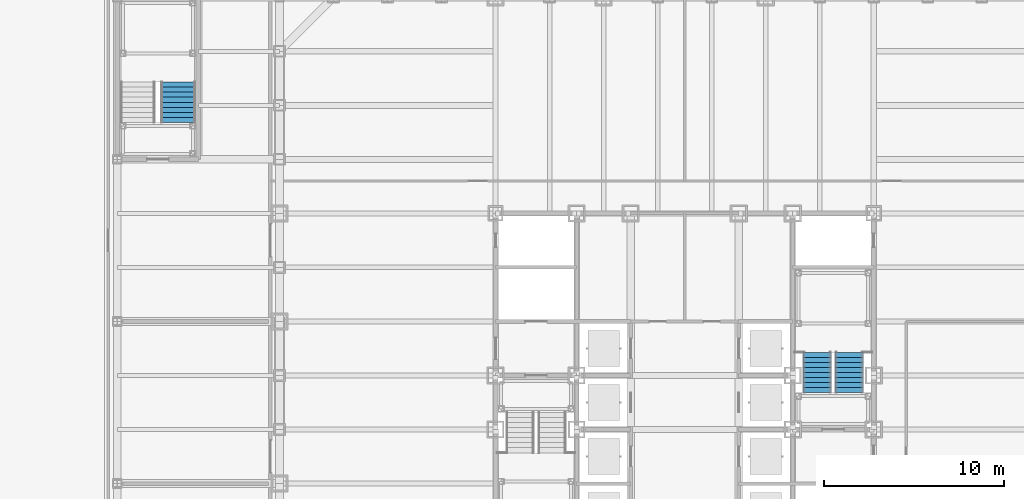
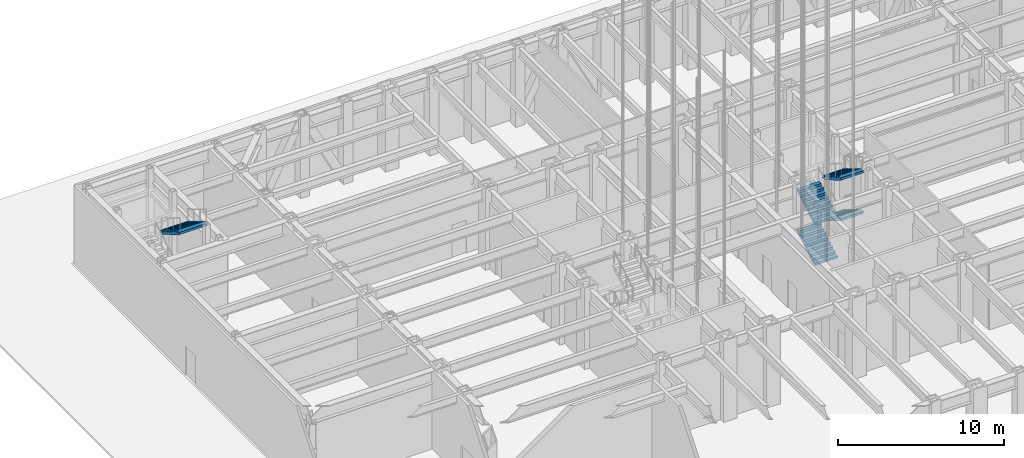
# One storey, part 14 of 35: 5 stair flights, 2 elements without a shape of their own.
"""IFC4 building model written with IfcOpenShell, lengths in metres."""

from ifc_helpers import new_model, si_unit, direction, frame, origin, place, context, subcontext, project, spatial, faceted_brep, material, type_object, element, aggregate, save


model = new_model("IFC4")

# Units and contexts
model_context = context("Model", 3, precision=1e-05, world=origin(), true_north=direction((0.0, 1.0)))
body_context = subcontext(model_context, "Body", "Model", "MODEL_VIEW")
ifc_project = project(units=[si_unit("LENGTHUNIT", "METRE"), si_unit("AREAUNIT", "SQUARE_METRE"), si_unit("VOLUMEUNIT", "CUBIC_METRE"), si_unit("PLANEANGLEUNIT", "RADIAN"), si_unit("MASSUNIT", "GRAM", prefix="KILO")], contexts=[model_context])

# Site, building, storey
site_placement = place(None, origin())
site = spatial("IfcSite", under=ifc_project, at=site_placement, CompositionType="ELEMENT")
building_placement = place(site_placement, origin())
building = spatial("IfcBuilding", under=site, at=building_placement, Name="Chuquiago Exchange Tower", CompositionType="ELEMENT")
storey_placement = place(building_placement, origin())
storey = spatial("IfcBuildingStorey", under=building, at=storey_placement, Name="L00", CompositionType="ELEMENT", Elevation=0.0)

# Stair, stair flights
ifc_material_1 = material(Name="Concrete C30/37, precast", Category="concrete")
stair_type_1 = type_object("IfcStairType", Name="ST2 double half-turn stair 6000", PredefinedType="DOUBLE_RETURN_STAIR", material=ifc_material_1)
stair_1_placement = place(storey_placement, origin())
stair_1 = element("IfcStair", 1, at=stair_1_placement, inside=storey, type_object=stair_type_1, Name="Stair ST2 L00", PredefinedType="DOUBLE_RETURN_STAIR")
ifc_material_2 = material(Name="Concrete C30/37, precast", Category="concrete")
stair_flight_type_1 = type_object("IfcStairFlightType", Name="ST-F flight 1570 for 6000 storey", PredefinedType="STRAIGHT", material=ifc_material_2)
stair_flight_1_placement = place(storey_placement, frame((29.860107421875, 23.050048828125, 0.0), z_axis=(0.0, 0.0, 1.0), x_axis=(0.0, 1.0, 0.0)))
stair_flight_1 = element("IfcStairFlight", 2, at=stair_flight_1_placement, type_object=stair_flight_type_1, Name="ST2 flight 1", NumberOfRisers=9, NumberOfTreads=8, PredefinedType="STRAIGHT", RiserHeight=0.166666667, TreadLength=0.28, context=body_context, shape_type="Brep", body=[
    faceted_brep([(0.0, 0.78515625, 0.0), (0.0, 0.78515625, 0.166748046875), (0.280029296875, 0.78515625, 0.166748046875), (0.280029296875, 0.78515625, 0.333251953125), (0.56005859375, 0.78515625, 0.333251953125), (0.56005859375, 0.78515625, 0.5), (0.840087890625, 0.78515625, 0.5), (0.840087890625, 0.78515625, 0.666748046875), (1.1201171875, 0.78515625, 0.666748046875), (1.1201171875, 0.78515625, 0.833251953125), (1.39990234375, 0.78515625, 0.833251953125), (1.39990234375, 0.78515625, 1.0), (1.679931640625, 0.78515625, 1.0), (1.679931640625, 0.78515625, 1.166748046875), (1.9599609375, 0.78515625, 1.166748046875), (1.9599609375, 0.78515625, 1.333251953125), (2.239990234375, 0.78515625, 1.333251953125), (2.239990234375, 0.78515625, 1.158935546875), (0.29296875, 0.78515625, 0.0), (0.29296875, -0.78515625, 0.0), (2.239990234375, -0.78515625, 1.158935546875), (2.239990234375, -0.78515625, 1.333251953125), (1.9599609375, -0.78515625, 1.333251953125), (1.9599609375, -0.78515625, 1.166748046875), (1.679931640625, -0.78515625, 1.166748046875), (1.679931640625, -0.78515625, 1.0), (1.39990234375, -0.78515625, 1.0), (1.39990234375, -0.78515625, 0.833251953125), (1.1201171875, -0.78515625, 0.833251953125), (1.1201171875, -0.78515625, 0.666748046875), (0.840087890625, -0.78515625, 0.666748046875), (0.840087890625, -0.78515625, 0.5), (0.56005859375, -0.78515625, 0.5), (0.56005859375, -0.78515625, 0.333251953125), (0.280029296875, -0.78515625, 0.333251953125), (0.280029296875, -0.78515625, 0.166748046875), (0.0, -0.78515625, 0.166748046875), (0.0, -0.78515625, 0.0), (0.0, 0.392578125, 0.0), (0.0, 0.392578125, 0.166748046875), (0.0, 0.0, 0.0), (0.0, 0.0, 0.166748046875), (0.0, -0.392578125, 0.0), (0.0, -0.392578125, 0.166748046875), (0.280029296875, 0.392578125, 0.166748046875), (0.280029296875, 0.0, 0.166748046875), (0.280029296875, -0.392578125, 0.166748046875), (0.280029296875, 0.392578125, 0.333251953125), (0.280029296875, 0.0, 0.333251953125), (0.280029296875, -0.392578125, 0.333251953125), (0.56005859375, 0.392578125, 0.333251953125), (0.56005859375, 0.0, 0.333251953125), (0.56005859375, -0.392578125, 0.333251953125), (0.56005859375, 0.392578125, 0.5), (0.56005859375, 0.0, 0.5), (0.56005859375, -0.392578125, 0.5), (0.840087890625, 0.392578125, 0.5), (0.840087890625, 0.0, 0.5), (0.840087890625, -0.392578125, 0.5), (0.840087890625, 0.392578125, 0.666748046875), (0.840087890625, 0.0, 0.666748046875), (0.840087890625, -0.392578125, 0.666748046875), (1.1201171875, 0.392578125, 0.666748046875), (1.1201171875, 0.0, 0.666748046875), (1.1201171875, -0.392578125, 0.666748046875), (1.1201171875, 0.392578125, 0.833251953125), (1.1201171875, 0.0, 0.833251953125), (1.1201171875, -0.392578125, 0.833251953125), (1.39990234375, 0.392578125, 0.833251953125), (1.39990234375, 0.0, 0.833251953125), (1.39990234375, -0.392578125, 0.833251953125), (1.39990234375, 0.392578125, 1.0), (1.39990234375, 0.0, 1.0), (1.39990234375, -0.392578125, 1.0), (1.679931640625, 0.392578125, 1.0), (1.679931640625, 0.0, 1.0), (1.679931640625, -0.392578125, 1.0), (1.679931640625, 0.392578125, 1.166748046875), (1.679931640625, 0.0, 1.166748046875), (1.679931640625, -0.392578125, 1.166748046875), (1.9599609375, 0.392578125, 1.166748046875), (1.9599609375, 0.0, 1.166748046875), (1.9599609375, -0.392578125, 1.166748046875), (1.9599609375, 0.392578125, 1.333251953125), (1.9599609375, 0.0, 1.333251953125), (1.9599609375, -0.392578125, 1.333251953125), (2.239990234375, 0.392578125, 1.333251953125), (2.239990234375, 0.0, 1.333251953125), (2.239990234375, -0.392578125, 1.333251953125), (2.239990234375, 0.392578125, 1.158935546875), (2.239990234375, 0.0, 1.158935546875), (2.239990234375, -0.392578125, 1.158935546875), (0.29296875, 0.392578125, 0.0), (0.29296875, 0.0, 0.0), (0.29296875, -0.392578125, 0.0)], [[[0, 1, 2, 3, 4, 5, 6, 7, 8, 9, 10, 11, 12, 13, 14, 15, 16, 17, 18]], [[19, 20, 21, 22, 23, 24, 25, 26, 27, 28, 29, 30, 31, 32, 33, 34, 35, 36, 37]], [[1, 0, 38, 39]], [[39, 38, 40, 41]], [[41, 40, 42, 43]], [[43, 42, 37, 36]], [[2, 1, 39, 44]], [[44, 39, 41, 45]], [[45, 41, 43, 46]], [[46, 43, 36, 35]], [[3, 2, 44, 47]], [[47, 44, 45, 48]], [[48, 45, 46, 49]], [[49, 46, 35, 34]], [[4, 3, 47, 50]], [[50, 47, 48, 51]], [[51, 48, 49, 52]], [[52, 49, 34, 33]], [[5, 4, 50, 53]], [[53, 50, 51, 54]], [[54, 51, 52, 55]], [[55, 52, 33, 32]], [[6, 5, 53, 56]], [[56, 53, 54, 57]], [[57, 54, 55, 58]], [[58, 55, 32, 31]], [[7, 6, 56, 59]], [[59, 56, 57, 60]], [[60, 57, 58, 61]], [[61, 58, 31, 30]], [[8, 7, 59, 62]], [[62, 59, 60, 63]], [[63, 60, 61, 64]], [[64, 61, 30, 29]], [[9, 8, 62, 65]], [[65, 62, 63, 66]], [[66, 63, 64, 67]], [[67, 64, 29, 28]], [[10, 9, 65, 68]], [[68, 65, 66, 69]], [[69, 66, 67, 70]], [[70, 67, 28, 27]], [[11, 10, 68, 71]], [[71, 68, 69, 72]], [[72, 69, 70, 73]], [[73, 70, 27, 26]], [[12, 11, 71, 74]], [[74, 71, 72, 75]], [[75, 72, 73, 76]], [[76, 73, 26, 25]], [[13, 12, 74, 77]], [[77, 74, 75, 78]], [[78, 75, 76, 79]], [[79, 76, 25, 24]], [[14, 13, 77, 80]], [[80, 77, 78, 81]], [[81, 78, 79, 82]], [[82, 79, 24, 23]], [[15, 14, 80, 83]], [[83, 80, 81, 84]], [[84, 81, 82, 85]], [[85, 82, 23, 22]], [[16, 15, 83, 86]], [[86, 83, 84, 87]], [[87, 84, 85, 88]], [[88, 85, 22, 21]], [[17, 16, 86, 89]], [[89, 86, 87, 90]], [[90, 87, 88, 91]], [[91, 88, 21, 20]], [[18, 17, 89, 92]], [[92, 89, 90, 93]], [[93, 90, 91, 94]], [[94, 91, 20, 19]], [[0, 18, 92, 38]], [[38, 92, 93, 40]], [[40, 93, 94, 42]], [[42, 94, 19, 37]]]),
])
stair_flight_2_placement = place(storey_placement, frame((31.639892578125, 25.2900390625, 1.5), z_axis=(0.0, 0.0, 1.0), x_axis=(0.0, -1.0, 0.0)))
stair_flight_2 = element("IfcStairFlight", 3, at=stair_flight_2_placement, type_object=stair_flight_type_1, Name="ST2 flight 2", NumberOfRisers=9, NumberOfTreads=8, PredefinedType="STRAIGHT", RiserHeight=0.166666667, TreadLength=0.28, context=body_context, shape_type="Brep", body=[
    faceted_brep([(0.0, 0.78515625, 0.0), (0.0, 0.78515625, 0.166748046875), (0.280029296875, 0.78515625, 0.166748046875), (0.280029296875, 0.78515625, 0.333251953125), (0.56005859375, 0.78515625, 0.333251953125), (0.56005859375, 0.78515625, 0.5), (0.840087890625, 0.78515625, 0.5), (0.840087890625, 0.78515625, 0.666748046875), (1.1201171875, 0.78515625, 0.666748046875), (1.1201171875, 0.78515625, 0.833251953125), (1.39990234375, 0.78515625, 0.833251953125), (1.39990234375, 0.78515625, 1.0), (1.679931640625, 0.78515625, 1.0), (1.679931640625, 0.78515625, 1.166748046875), (1.9599609375, 0.78515625, 1.166748046875), (1.9599609375, 0.78515625, 1.333251953125), (2.239990234375, 0.78515625, 1.333251953125), (2.239990234375, 0.78515625, 1.158935546875), (0.29296875, 0.78515625, 0.0), (0.29296875, -0.78515625, 0.0), (2.239990234375, -0.78515625, 1.158935546875), (2.239990234375, -0.78515625, 1.333251953125), (1.9599609375, -0.78515625, 1.333251953125), (1.9599609375, -0.78515625, 1.166748046875), (1.679931640625, -0.78515625, 1.166748046875), (1.679931640625, -0.78515625, 1.0), (1.39990234375, -0.78515625, 1.0), (1.39990234375, -0.78515625, 0.833251953125), (1.1201171875, -0.78515625, 0.833251953125), (1.1201171875, -0.78515625, 0.666748046875), (0.840087890625, -0.78515625, 0.666748046875), (0.840087890625, -0.78515625, 0.5), (0.56005859375, -0.78515625, 0.5), (0.56005859375, -0.78515625, 0.333251953125), (0.280029296875, -0.78515625, 0.333251953125), (0.280029296875, -0.78515625, 0.166748046875), (0.0, -0.78515625, 0.166748046875), (0.0, -0.78515625, 0.0), (0.0, 0.392578125, 0.0), (0.0, 0.392578125, 0.166748046875), (0.0, 0.0, 0.0), (0.0, 0.0, 0.166748046875), (0.0, -0.392578125, 0.0), (0.0, -0.392578125, 0.166748046875), (0.280029296875, 0.392578125, 0.166748046875), (0.280029296875, 0.0, 0.166748046875), (0.280029296875, -0.392578125, 0.166748046875), (0.280029296875, 0.392578125, 0.333251953125), (0.280029296875, 0.0, 0.333251953125), (0.280029296875, -0.392578125, 0.333251953125), (0.56005859375, 0.392578125, 0.333251953125), (0.56005859375, 0.0, 0.333251953125), (0.56005859375, -0.392578125, 0.333251953125), (0.56005859375, 0.392578125, 0.5), (0.56005859375, 0.0, 0.5), (0.56005859375, -0.392578125, 0.5), (0.840087890625, 0.392578125, 0.5), (0.840087890625, 0.0, 0.5), (0.840087890625, -0.392578125, 0.5), (0.840087890625, 0.392578125, 0.666748046875), (0.840087890625, 0.0, 0.666748046875), (0.840087890625, -0.392578125, 0.666748046875), (1.1201171875, 0.392578125, 0.666748046875), (1.1201171875, 0.0, 0.666748046875), (1.1201171875, -0.392578125, 0.666748046875), (1.1201171875, 0.392578125, 0.833251953125), (1.1201171875, 0.0, 0.833251953125), (1.1201171875, -0.392578125, 0.833251953125), (1.39990234375, 0.392578125, 0.833251953125), (1.39990234375, 0.0, 0.833251953125), (1.39990234375, -0.392578125, 0.833251953125), (1.39990234375, 0.392578125, 1.0), (1.39990234375, 0.0, 1.0), (1.39990234375, -0.392578125, 1.0), (1.679931640625, 0.392578125, 1.0), (1.679931640625, 0.0, 1.0), (1.679931640625, -0.392578125, 1.0), (1.679931640625, 0.392578125, 1.166748046875), (1.679931640625, 0.0, 1.166748046875), (1.679931640625, -0.392578125, 1.166748046875), (1.9599609375, 0.392578125, 1.166748046875), (1.9599609375, 0.0, 1.166748046875), (1.9599609375, -0.392578125, 1.166748046875), (1.9599609375, 0.392578125, 1.333251953125), (1.9599609375, 0.0, 1.333251953125), (1.9599609375, -0.392578125, 1.333251953125), (2.239990234375, 0.392578125, 1.333251953125), (2.239990234375, 0.0, 1.333251953125), (2.239990234375, -0.392578125, 1.333251953125), (2.239990234375, 0.392578125, 1.158935546875), (2.239990234375, 0.0, 1.158935546875), (2.239990234375, -0.392578125, 1.158935546875), (0.29296875, 0.392578125, 0.0), (0.29296875, 0.0, 0.0), (0.29296875, -0.392578125, 0.0)], [[[0, 1, 2, 3, 4, 5, 6, 7, 8, 9, 10, 11, 12, 13, 14, 15, 16, 17, 18]], [[19, 20, 21, 22, 23, 24, 25, 26, 27, 28, 29, 30, 31, 32, 33, 34, 35, 36, 37]], [[1, 0, 38, 39]], [[39, 38, 40, 41]], [[41, 40, 42, 43]], [[43, 42, 37, 36]], [[2, 1, 39, 44]], [[44, 39, 41, 45]], [[45, 41, 43, 46]], [[46, 43, 36, 35]], [[3, 2, 44, 47]], [[47, 44, 45, 48]], [[48, 45, 46, 49]], [[49, 46, 35, 34]], [[4, 3, 47, 50]], [[50, 47, 48, 51]], [[51, 48, 49, 52]], [[52, 49, 34, 33]], [[5, 4, 50, 53]], [[53, 50, 51, 54]], [[54, 51, 52, 55]], [[55, 52, 33, 32]], [[6, 5, 53, 56]], [[56, 53, 54, 57]], [[57, 54, 55, 58]], [[58, 55, 32, 31]], [[7, 6, 56, 59]], [[59, 56, 57, 60]], [[60, 57, 58, 61]], [[61, 58, 31, 30]], [[8, 7, 59, 62]], [[62, 59, 60, 63]], [[63, 60, 61, 64]], [[64, 61, 30, 29]], [[9, 8, 62, 65]], [[65, 62, 63, 66]], [[66, 63, 64, 67]], [[67, 64, 29, 28]], [[10, 9, 65, 68]], [[68, 65, 66, 69]], [[69, 66, 67, 70]], [[70, 67, 28, 27]], [[11, 10, 68, 71]], [[71, 68, 69, 72]], [[72, 69, 70, 73]], [[73, 70, 27, 26]], [[12, 11, 71, 74]], [[74, 71, 72, 75]], [[75, 72, 73, 76]], [[76, 73, 26, 25]], [[13, 12, 74, 77]], [[77, 74, 75, 78]], [[78, 75, 76, 79]], [[79, 76, 25, 24]], [[14, 13, 77, 80]], [[80, 77, 78, 81]], [[81, 78, 79, 82]], [[82, 79, 24, 23]], [[15, 14, 80, 83]], [[83, 80, 81, 84]], [[84, 81, 82, 85]], [[85, 82, 23, 22]], [[16, 15, 83, 86]], [[86, 83, 84, 87]], [[87, 84, 85, 88]], [[88, 85, 22, 21]], [[17, 16, 86, 89]], [[89, 86, 87, 90]], [[90, 87, 88, 91]], [[91, 88, 21, 20]], [[18, 17, 89, 92]], [[92, 89, 90, 93]], [[93, 90, 91, 94]], [[94, 91, 20, 19]], [[0, 18, 92, 38]], [[38, 92, 93, 40]], [[40, 93, 94, 42]], [[42, 94, 19, 37]]]),
])
stair_flight_3_placement = place(storey_placement, frame((29.860107421875, 23.050048828125, 3.0), z_axis=(0.0, 0.0, 1.0), x_axis=(0.0, 1.0, 0.0)))
stair_flight_3 = element("IfcStairFlight", 4, at=stair_flight_3_placement, type_object=stair_flight_type_1, Name="ST2 flight 3", NumberOfRisers=9, NumberOfTreads=8, PredefinedType="STRAIGHT", RiserHeight=0.166666667, TreadLength=0.28, context=body_context, shape_type="Brep", body=[
    faceted_brep([(0.0, 0.78515625, 0.0), (0.0, 0.78515625, 0.166748046875), (0.280029296875, 0.78515625, 0.166748046875), (0.280029296875, 0.78515625, 0.333251953125), (0.56005859375, 0.78515625, 0.333251953125), (0.56005859375, 0.78515625, 0.5), (0.840087890625, 0.78515625, 0.5), (0.840087890625, 0.78515625, 0.666748046875), (1.1201171875, 0.78515625, 0.666748046875), (1.1201171875, 0.78515625, 0.833251953125), (1.39990234375, 0.78515625, 0.833251953125), (1.39990234375, 0.78515625, 1.0), (1.679931640625, 0.78515625, 1.0), (1.679931640625, 0.78515625, 1.166748046875), (1.9599609375, 0.78515625, 1.166748046875), (1.9599609375, 0.78515625, 1.333251953125), (2.239990234375, 0.78515625, 1.333251953125), (2.239990234375, 0.78515625, 1.158935546875), (0.29296875, 0.78515625, 0.0), (0.29296875, -0.78515625, 0.0), (2.239990234375, -0.78515625, 1.158935546875), (2.239990234375, -0.78515625, 1.333251953125), (1.9599609375, -0.78515625, 1.333251953125), (1.9599609375, -0.78515625, 1.166748046875), (1.679931640625, -0.78515625, 1.166748046875), (1.679931640625, -0.78515625, 1.0), (1.39990234375, -0.78515625, 1.0), (1.39990234375, -0.78515625, 0.833251953125), (1.1201171875, -0.78515625, 0.833251953125), (1.1201171875, -0.78515625, 0.666748046875), (0.840087890625, -0.78515625, 0.666748046875), (0.840087890625, -0.78515625, 0.5), (0.56005859375, -0.78515625, 0.5), (0.56005859375, -0.78515625, 0.333251953125), (0.280029296875, -0.78515625, 0.333251953125), (0.280029296875, -0.78515625, 0.166748046875), (0.0, -0.78515625, 0.166748046875), (0.0, -0.78515625, 0.0), (0.0, 0.392578125, 0.0), (0.0, 0.392578125, 0.166748046875), (0.0, 0.0, 0.0), (0.0, 0.0, 0.166748046875), (0.0, -0.392578125, 0.0), (0.0, -0.392578125, 0.166748046875), (0.280029296875, 0.392578125, 0.166748046875), (0.280029296875, 0.0, 0.166748046875), (0.280029296875, -0.392578125, 0.166748046875), (0.280029296875, 0.392578125, 0.333251953125), (0.280029296875, 0.0, 0.333251953125), (0.280029296875, -0.392578125, 0.333251953125), (0.56005859375, 0.392578125, 0.333251953125), (0.56005859375, 0.0, 0.333251953125), (0.56005859375, -0.392578125, 0.333251953125), (0.56005859375, 0.392578125, 0.5), (0.56005859375, 0.0, 0.5), (0.56005859375, -0.392578125, 0.5), (0.840087890625, 0.392578125, 0.5), (0.840087890625, 0.0, 0.5), (0.840087890625, -0.392578125, 0.5), (0.840087890625, 0.392578125, 0.666748046875), (0.840087890625, 0.0, 0.666748046875), (0.840087890625, -0.392578125, 0.666748046875), (1.1201171875, 0.392578125, 0.666748046875), (1.1201171875, 0.0, 0.666748046875), (1.1201171875, -0.392578125, 0.666748046875), (1.1201171875, 0.392578125, 0.833251953125), (1.1201171875, 0.0, 0.833251953125), (1.1201171875, -0.392578125, 0.833251953125), (1.39990234375, 0.392578125, 0.833251953125), (1.39990234375, 0.0, 0.833251953125), (1.39990234375, -0.392578125, 0.833251953125), (1.39990234375, 0.392578125, 1.0), (1.39990234375, 0.0, 1.0), (1.39990234375, -0.392578125, 1.0), (1.679931640625, 0.392578125, 1.0), (1.679931640625, 0.0, 1.0), (1.679931640625, -0.392578125, 1.0), (1.679931640625, 0.392578125, 1.166748046875), (1.679931640625, 0.0, 1.166748046875), (1.679931640625, -0.392578125, 1.166748046875), (1.9599609375, 0.392578125, 1.166748046875), (1.9599609375, 0.0, 1.166748046875), (1.9599609375, -0.392578125, 1.166748046875), (1.9599609375, 0.392578125, 1.333251953125), (1.9599609375, 0.0, 1.333251953125), (1.9599609375, -0.392578125, 1.333251953125), (2.239990234375, 0.392578125, 1.333251953125), (2.239990234375, 0.0, 1.333251953125), (2.239990234375, -0.392578125, 1.333251953125), (2.239990234375, 0.392578125, 1.158935546875), (2.239990234375, 0.0, 1.158935546875), (2.239990234375, -0.392578125, 1.158935546875), (0.29296875, 0.392578125, 0.0), (0.29296875, 0.0, 0.0), (0.29296875, -0.392578125, 0.0)], [[[0, 1, 2, 3, 4, 5, 6, 7, 8, 9, 10, 11, 12, 13, 14, 15, 16, 17, 18]], [[19, 20, 21, 22, 23, 24, 25, 26, 27, 28, 29, 30, 31, 32, 33, 34, 35, 36, 37]], [[1, 0, 38, 39]], [[39, 38, 40, 41]], [[41, 40, 42, 43]], [[43, 42, 37, 36]], [[2, 1, 39, 44]], [[44, 39, 41, 45]], [[45, 41, 43, 46]], [[46, 43, 36, 35]], [[3, 2, 44, 47]], [[47, 44, 45, 48]], [[48, 45, 46, 49]], [[49, 46, 35, 34]], [[4, 3, 47, 50]], [[50, 47, 48, 51]], [[51, 48, 49, 52]], [[52, 49, 34, 33]], [[5, 4, 50, 53]], [[53, 50, 51, 54]], [[54, 51, 52, 55]], [[55, 52, 33, 32]], [[6, 5, 53, 56]], [[56, 53, 54, 57]], [[57, 54, 55, 58]], [[58, 55, 32, 31]], [[7, 6, 56, 59]], [[59, 56, 57, 60]], [[60, 57, 58, 61]], [[61, 58, 31, 30]], [[8, 7, 59, 62]], [[62, 59, 60, 63]], [[63, 60, 61, 64]], [[64, 61, 30, 29]], [[9, 8, 62, 65]], [[65, 62, 63, 66]], [[66, 63, 64, 67]], [[67, 64, 29, 28]], [[10, 9, 65, 68]], [[68, 65, 66, 69]], [[69, 66, 67, 70]], [[70, 67, 28, 27]], [[11, 10, 68, 71]], [[71, 68, 69, 72]], [[72, 69, 70, 73]], [[73, 70, 27, 26]], [[12, 11, 71, 74]], [[74, 71, 72, 75]], [[75, 72, 73, 76]], [[76, 73, 26, 25]], [[13, 12, 74, 77]], [[77, 74, 75, 78]], [[78, 75, 76, 79]], [[79, 76, 25, 24]], [[14, 13, 77, 80]], [[80, 77, 78, 81]], [[81, 78, 79, 82]], [[82, 79, 24, 23]], [[15, 14, 80, 83]], [[83, 80, 81, 84]], [[84, 81, 82, 85]], [[85, 82, 23, 22]], [[16, 15, 83, 86]], [[86, 83, 84, 87]], [[87, 84, 85, 88]], [[88, 85, 22, 21]], [[17, 16, 86, 89]], [[89, 86, 87, 90]], [[90, 87, 88, 91]], [[91, 88, 21, 20]], [[18, 17, 89, 92]], [[92, 89, 90, 93]], [[93, 90, 91, 94]], [[94, 91, 20, 19]], [[0, 18, 92, 38]], [[38, 92, 93, 40]], [[40, 93, 94, 42]], [[42, 94, 19, 37]]]),
])
stair_flight_4_placement = place(storey_placement, frame((31.639892578125, 25.2900390625, 4.5), z_axis=(0.0, 0.0, 1.0), x_axis=(0.0, -1.0, 0.0)))
stair_flight_4 = element("IfcStairFlight", 5, at=stair_flight_4_placement, type_object=stair_flight_type_1, Name="ST2 flight 4", NumberOfRisers=9, NumberOfTreads=8, PredefinedType="STRAIGHT", RiserHeight=0.166666667, TreadLength=0.28, context=body_context, shape_type="Brep", body=[
    faceted_brep([(0.0, 0.78515625, 0.0), (0.0, 0.78515625, 0.166748046875), (0.280029296875, 0.78515625, 0.166748046875), (0.280029296875, 0.78515625, 0.333251953125), (0.56005859375, 0.78515625, 0.333251953125), (0.56005859375, 0.78515625, 0.5), (0.840087890625, 0.78515625, 0.5), (0.840087890625, 0.78515625, 0.666748046875), (1.1201171875, 0.78515625, 0.666748046875), (1.1201171875, 0.78515625, 0.833251953125), (1.39990234375, 0.78515625, 0.833251953125), (1.39990234375, 0.78515625, 1.0), (1.679931640625, 0.78515625, 1.0), (1.679931640625, 0.78515625, 1.166748046875), (1.9599609375, 0.78515625, 1.166748046875), (1.9599609375, 0.78515625, 1.333251953125), (2.239990234375, 0.78515625, 1.333251953125), (2.239990234375, 0.78515625, 1.158935546875), (0.29296875, 0.78515625, 0.0), (0.29296875, -0.78515625, 0.0), (2.239990234375, -0.78515625, 1.158935546875), (2.239990234375, -0.78515625, 1.333251953125), (1.9599609375, -0.78515625, 1.333251953125), (1.9599609375, -0.78515625, 1.166748046875), (1.679931640625, -0.78515625, 1.166748046875), (1.679931640625, -0.78515625, 1.0), (1.39990234375, -0.78515625, 1.0), (1.39990234375, -0.78515625, 0.833251953125), (1.1201171875, -0.78515625, 0.833251953125), (1.1201171875, -0.78515625, 0.666748046875), (0.840087890625, -0.78515625, 0.666748046875), (0.840087890625, -0.78515625, 0.5), (0.56005859375, -0.78515625, 0.5), (0.56005859375, -0.78515625, 0.333251953125), (0.280029296875, -0.78515625, 0.333251953125), (0.280029296875, -0.78515625, 0.166748046875), (0.0, -0.78515625, 0.166748046875), (0.0, -0.78515625, 0.0), (0.0, 0.392578125, 0.0), (0.0, 0.392578125, 0.166748046875), (0.0, 0.0, 0.0), (0.0, 0.0, 0.166748046875), (0.0, -0.392578125, 0.0), (0.0, -0.392578125, 0.166748046875), (0.280029296875, 0.392578125, 0.166748046875), (0.280029296875, 0.0, 0.166748046875), (0.280029296875, -0.392578125, 0.166748046875), (0.280029296875, 0.392578125, 0.333251953125), (0.280029296875, 0.0, 0.333251953125), (0.280029296875, -0.392578125, 0.333251953125), (0.56005859375, 0.392578125, 0.333251953125), (0.56005859375, 0.0, 0.333251953125), (0.56005859375, -0.392578125, 0.333251953125), (0.56005859375, 0.392578125, 0.5), (0.56005859375, 0.0, 0.5), (0.56005859375, -0.392578125, 0.5), (0.840087890625, 0.392578125, 0.5), (0.840087890625, 0.0, 0.5), (0.840087890625, -0.392578125, 0.5), (0.840087890625, 0.392578125, 0.666748046875), (0.840087890625, 0.0, 0.666748046875), (0.840087890625, -0.392578125, 0.666748046875), (1.1201171875, 0.392578125, 0.666748046875), (1.1201171875, 0.0, 0.666748046875), (1.1201171875, -0.392578125, 0.666748046875), (1.1201171875, 0.392578125, 0.833251953125), (1.1201171875, 0.0, 0.833251953125), (1.1201171875, -0.392578125, 0.833251953125), (1.39990234375, 0.392578125, 0.833251953125), (1.39990234375, 0.0, 0.833251953125), (1.39990234375, -0.392578125, 0.833251953125), (1.39990234375, 0.392578125, 1.0), (1.39990234375, 0.0, 1.0), (1.39990234375, -0.392578125, 1.0), (1.679931640625, 0.392578125, 1.0), (1.679931640625, 0.0, 1.0), (1.679931640625, -0.392578125, 1.0), (1.679931640625, 0.392578125, 1.166748046875), (1.679931640625, 0.0, 1.166748046875), (1.679931640625, -0.392578125, 1.166748046875), (1.9599609375, 0.392578125, 1.166748046875), (1.9599609375, 0.0, 1.166748046875), (1.9599609375, -0.392578125, 1.166748046875), (1.9599609375, 0.392578125, 1.333251953125), (1.9599609375, 0.0, 1.333251953125), (1.9599609375, -0.392578125, 1.333251953125), (2.239990234375, 0.392578125, 1.333251953125), (2.239990234375, 0.0, 1.333251953125), (2.239990234375, -0.392578125, 1.333251953125), (2.239990234375, 0.392578125, 1.158935546875), (2.239990234375, 0.0, 1.158935546875), (2.239990234375, -0.392578125, 1.158935546875), (0.29296875, 0.392578125, 0.0), (0.29296875, 0.0, 0.0), (0.29296875, -0.392578125, 0.0)], [[[0, 1, 2, 3, 4, 5, 6, 7, 8, 9, 10, 11, 12, 13, 14, 15, 16, 17, 18]], [[19, 20, 21, 22, 23, 24, 25, 26, 27, 28, 29, 30, 31, 32, 33, 34, 35, 36, 37]], [[1, 0, 38, 39]], [[39, 38, 40, 41]], [[41, 40, 42, 43]], [[43, 42, 37, 36]], [[2, 1, 39, 44]], [[44, 39, 41, 45]], [[45, 41, 43, 46]], [[46, 43, 36, 35]], [[3, 2, 44, 47]], [[47, 44, 45, 48]], [[48, 45, 46, 49]], [[49, 46, 35, 34]], [[4, 3, 47, 50]], [[50, 47, 48, 51]], [[51, 48, 49, 52]], [[52, 49, 34, 33]], [[5, 4, 50, 53]], [[53, 50, 51, 54]], [[54, 51, 52, 55]], [[55, 52, 33, 32]], [[6, 5, 53, 56]], [[56, 53, 54, 57]], [[57, 54, 55, 58]], [[58, 55, 32, 31]], [[7, 6, 56, 59]], [[59, 56, 57, 60]], [[60, 57, 58, 61]], [[61, 58, 31, 30]], [[8, 7, 59, 62]], [[62, 59, 60, 63]], [[63, 60, 61, 64]], [[64, 61, 30, 29]], [[9, 8, 62, 65]], [[65, 62, 63, 66]], [[66, 63, 64, 67]], [[67, 64, 29, 28]], [[10, 9, 65, 68]], [[68, 65, 66, 69]], [[69, 66, 67, 70]], [[70, 67, 28, 27]], [[11, 10, 68, 71]], [[71, 68, 69, 72]], [[72, 69, 70, 73]], [[73, 70, 27, 26]], [[12, 11, 71, 74]], [[74, 71, 72, 75]], [[75, 72, 73, 76]], [[76, 73, 26, 25]], [[13, 12, 74, 77]], [[77, 74, 75, 78]], [[78, 75, 76, 79]], [[79, 76, 25, 24]], [[14, 13, 77, 80]], [[80, 77, 78, 81]], [[81, 78, 79, 82]], [[82, 79, 24, 23]], [[15, 14, 80, 83]], [[83, 80, 81, 84]], [[84, 81, 82, 85]], [[85, 82, 23, 22]], [[16, 15, 83, 86]], [[86, 83, 84, 87]], [[87, 84, 85, 88]], [[88, 85, 22, 21]], [[17, 16, 86, 89]], [[89, 86, 87, 90]], [[90, 87, 88, 91]], [[91, 88, 21, 20]], [[18, 17, 89, 92]], [[92, 89, 90, 93]], [[93, 90, 91, 94]], [[94, 91, 20, 19]], [[0, 18, 92, 38]], [[38, 92, 93, 40]], [[40, 93, 94, 42]], [[42, 94, 19, 37]]]),
])
aggregate(stair_1, [stair_flight_1, stair_flight_2, stair_flight_3, stair_flight_4])

# Stair, stair flight
ifc_material_3 = material(Name="Concrete C30/37, precast", Category="concrete")
stair_type_2 = type_object("IfcStairType", Name="PS3 double half-turn stair 6000", PredefinedType="DOUBLE_RETURN_STAIR", material=ifc_material_3)
stair_2_placement = place(storey_placement, origin())
stair_2 = element("IfcStair", 6, at=stair_2_placement, inside=storey, type_object=stair_type_2, Name="Stair PS3 L00", PredefinedType="DOUBLE_RETURN_STAIR")
ifc_material_4 = material(Name="Concrete C30/37, precast", Category="concrete")
stair_flight_type_2 = type_object("IfcStairFlightType", Name="ST-F flight 1950 for 6000 storey", PredefinedType="STRAIGHT", material=ifc_material_4)
stair_flight_5_placement = place(storey_placement, frame((-5.625, 40.2900390625, 4.5), z_axis=(0.0, 0.0, 1.0), x_axis=(0.0, -1.0, 0.0)))
stair_flight_5 = element("IfcStairFlight", 7, at=stair_flight_5_placement, type_object=stair_flight_type_2, Name="PS3 flight 4", NumberOfRisers=9, NumberOfTreads=8, PredefinedType="STRAIGHT", RiserHeight=0.166666667, TreadLength=0.28, context=body_context, shape_type="Brep", body=[
    faceted_brep([(0.0, 0.97509765625, 0.0), (0.0, 0.97509765625, 0.166748046875), (0.280029296875, 0.97509765625, 0.166748046875), (0.280029296875, 0.97509765625, 0.333251953125), (0.56005859375, 0.97509765625, 0.333251953125), (0.56005859375, 0.97509765625, 0.5), (0.840087890625, 0.97509765625, 0.5), (0.840087890625, 0.97509765625, 0.666748046875), (1.1201171875, 0.97509765625, 0.666748046875), (1.1201171875, 0.97509765625, 0.833251953125), (1.39990234375, 0.97509765625, 0.833251953125), (1.39990234375, 0.97509765625, 1.0), (1.679931640625, 0.97509765625, 1.0), (1.679931640625, 0.97509765625, 1.166748046875), (1.9599609375, 0.97509765625, 1.166748046875), (1.9599609375, 0.97509765625, 1.333251953125), (2.239990234375, 0.97509765625, 1.333251953125), (2.239990234375, 0.97509765625, 1.158935546875), (0.29296875, 0.97509765625, 0.0), (0.29296875, -0.97509765625, 0.0), (2.239990234375, -0.97509765625, 1.158935546875), (2.239990234375, -0.97509765625, 1.333251953125), (1.9599609375, -0.97509765625, 1.333251953125), (1.9599609375, -0.97509765625, 1.166748046875), (1.679931640625, -0.97509765625, 1.166748046875), (1.679931640625, -0.97509765625, 1.0), (1.39990234375, -0.97509765625, 1.0), (1.39990234375, -0.97509765625, 0.833251953125), (1.1201171875, -0.97509765625, 0.833251953125), (1.1201171875, -0.97509765625, 0.666748046875), (0.840087890625, -0.97509765625, 0.666748046875), (0.840087890625, -0.97509765625, 0.5), (0.56005859375, -0.97509765625, 0.5), (0.56005859375, -0.97509765625, 0.333251953125), (0.280029296875, -0.97509765625, 0.333251953125), (0.280029296875, -0.97509765625, 0.166748046875), (0.0, -0.97509765625, 0.166748046875), (0.0, -0.97509765625, 0.0), (0.0, 0.487548828125, 0.0), (0.0, 0.487548828125, 0.166748046875), (0.0, 0.0, 0.0), (0.0, 0.0, 0.166748046875), (0.0, -0.487548828125, 0.0), (0.0, -0.487548828125, 0.166748046875), (0.280029296875, 0.487548828125, 0.166748046875), (0.280029296875, 0.0, 0.166748046875), (0.280029296875, -0.487548828125, 0.166748046875), (0.280029296875, 0.487548828125, 0.333251953125), (0.280029296875, 0.0, 0.333251953125), (0.280029296875, -0.487548828125, 0.333251953125), (0.56005859375, 0.487548828125, 0.333251953125), (0.56005859375, 0.0, 0.333251953125), (0.56005859375, -0.487548828125, 0.333251953125), (0.56005859375, 0.487548828125, 0.5), (0.56005859375, 0.0, 0.5), (0.56005859375, -0.487548828125, 0.5), (0.840087890625, 0.487548828125, 0.5), (0.840087890625, 0.0, 0.5), (0.840087890625, -0.487548828125, 0.5), (0.840087890625, 0.487548828125, 0.666748046875), (0.840087890625, 0.0, 0.666748046875), (0.840087890625, -0.487548828125, 0.666748046875), (1.1201171875, 0.487548828125, 0.666748046875), (1.1201171875, 0.0, 0.666748046875), (1.1201171875, -0.487548828125, 0.666748046875), (1.1201171875, 0.487548828125, 0.833251953125), (1.1201171875, 0.0, 0.833251953125), (1.1201171875, -0.487548828125, 0.833251953125), (1.39990234375, 0.487548828125, 0.833251953125), (1.39990234375, 0.0, 0.833251953125), (1.39990234375, -0.487548828125, 0.833251953125), (1.39990234375, 0.487548828125, 1.0), (1.39990234375, 0.0, 1.0), (1.39990234375, -0.487548828125, 1.0), (1.679931640625, 0.487548828125, 1.0), (1.679931640625, 0.0, 1.0), (1.679931640625, -0.487548828125, 1.0), (1.679931640625, 0.487548828125, 1.166748046875), (1.679931640625, 0.0, 1.166748046875), (1.679931640625, -0.487548828125, 1.166748046875), (1.9599609375, 0.487548828125, 1.166748046875), (1.9599609375, 0.0, 1.166748046875), (1.9599609375, -0.487548828125, 1.166748046875), (1.9599609375, 0.487548828125, 1.333251953125), (1.9599609375, 0.0, 1.333251953125), (1.9599609375, -0.487548828125, 1.333251953125), (2.239990234375, 0.487548828125, 1.333251953125), (2.239990234375, 0.0, 1.333251953125), (2.239990234375, -0.487548828125, 1.333251953125), (2.239990234375, 0.487548828125, 1.158935546875), (2.239990234375, 0.0, 1.158935546875), (2.239990234375, -0.487548828125, 1.158935546875), (0.29296875, 0.487548828125, 0.0), (0.29296875, 0.0, 0.0), (0.29296875, -0.487548828125, 0.0)], [[[0, 1, 2, 3, 4, 5, 6, 7, 8, 9, 10, 11, 12, 13, 14, 15, 16, 17, 18]], [[19, 20, 21, 22, 23, 24, 25, 26, 27, 28, 29, 30, 31, 32, 33, 34, 35, 36, 37]], [[1, 0, 38, 39]], [[39, 38, 40, 41]], [[41, 40, 42, 43]], [[43, 42, 37, 36]], [[2, 1, 39, 44]], [[44, 39, 41, 45]], [[45, 41, 43, 46]], [[46, 43, 36, 35]], [[3, 2, 44, 47]], [[47, 44, 45, 48]], [[48, 45, 46, 49]], [[49, 46, 35, 34]], [[4, 3, 47, 50]], [[50, 47, 48, 51]], [[51, 48, 49, 52]], [[52, 49, 34, 33]], [[5, 4, 50, 53]], [[53, 50, 51, 54]], [[54, 51, 52, 55]], [[55, 52, 33, 32]], [[6, 5, 53, 56]], [[56, 53, 54, 57]], [[57, 54, 55, 58]], [[58, 55, 32, 31]], [[7, 6, 56, 59]], [[59, 56, 57, 60]], [[60, 57, 58, 61]], [[61, 58, 31, 30]], [[8, 7, 59, 62]], [[62, 59, 60, 63]], [[63, 60, 61, 64]], [[64, 61, 30, 29]], [[9, 8, 62, 65]], [[65, 62, 63, 66]], [[66, 63, 64, 67]], [[67, 64, 29, 28]], [[10, 9, 65, 68]], [[68, 65, 66, 69]], [[69, 66, 67, 70]], [[70, 67, 28, 27]], [[11, 10, 68, 71]], [[71, 68, 69, 72]], [[72, 69, 70, 73]], [[73, 70, 27, 26]], [[12, 11, 71, 74]], [[74, 71, 72, 75]], [[75, 72, 73, 76]], [[76, 73, 26, 25]], [[13, 12, 74, 77]], [[77, 74, 75, 78]], [[78, 75, 76, 79]], [[79, 76, 25, 24]], [[14, 13, 77, 80]], [[80, 77, 78, 81]], [[81, 78, 79, 82]], [[82, 79, 24, 23]], [[15, 14, 80, 83]], [[83, 80, 81, 84]], [[84, 81, 82, 85]], [[85, 82, 23, 22]], [[16, 15, 83, 86]], [[86, 83, 84, 87]], [[87, 84, 85, 88]], [[88, 85, 22, 21]], [[17, 16, 86, 89]], [[89, 86, 87, 90]], [[90, 87, 88, 91]], [[91, 88, 21, 20]], [[18, 17, 89, 92]], [[92, 89, 90, 93]], [[93, 90, 91, 94]], [[94, 91, 20, 19]], [[0, 18, 92, 38]], [[38, 92, 93, 40]], [[40, 93, 94, 42]], [[42, 94, 19, 37]]]),
])
aggregate(stair_2, [stair_flight_5])

save(model, "model.ifc")
